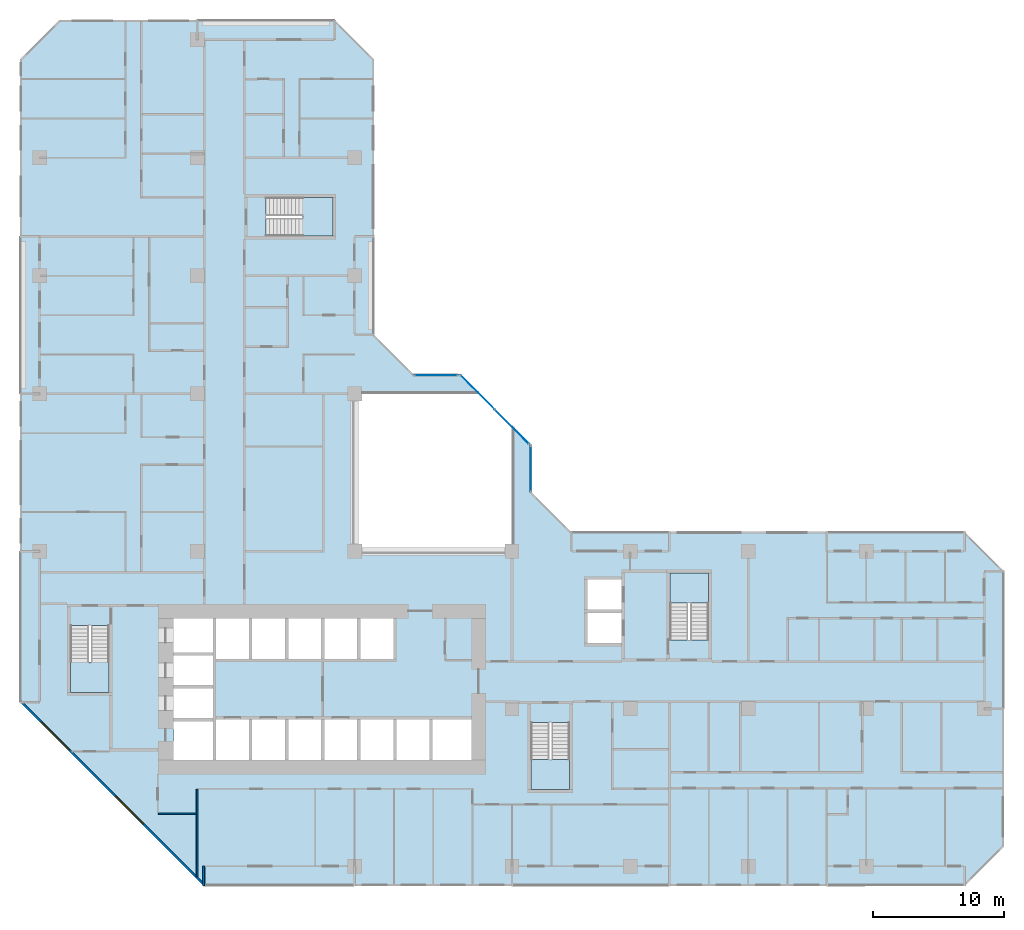
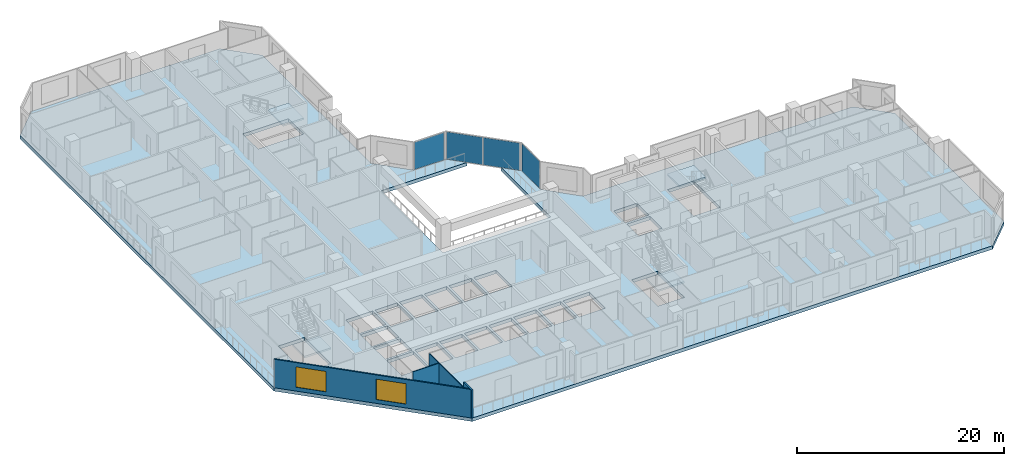
# One storey, part 3 of 16: 5 slabs, 4 plates, 4 walls, 2 windows, 2 openings, 7 elements without a shape of their own.
"""IFC4 building model written with IfcOpenShell, lengths in metres."""

from ifc_helpers import new_model, si_unit, direction, frame, frame_2d, origin, origin_2d, place, context, subcontext, project, spatial, polyline, rectangle, outline, extrude, material, layer, layer_set, type_object, element, fill, aggregate, save


model = new_model("IFC4")

# Units and contexts
model_context = context("Model", 3, precision=1e-05, world=origin(), true_north=direction((0.0, 1.0)))
body_context = subcontext(model_context, "Body", "Model", "MODEL_VIEW")
ifc_project = project(units=[si_unit("LENGTHUNIT", "METRE"), si_unit("AREAUNIT", "SQUARE_METRE"), si_unit("VOLUMEUNIT", "CUBIC_METRE"), si_unit("PLANEANGLEUNIT", "RADIAN"), si_unit("MASSUNIT", "GRAM", prefix="KILO")], contexts=[model_context])

# Site, building, storey
site_placement = place(None, origin())
site = spatial("IfcSite", under=ifc_project, at=site_placement, CompositionType="ELEMENT")
building_placement = place(site_placement, origin())
building = spatial("IfcBuilding", under=site, at=building_placement, Name="Chenar Terraces", CompositionType="ELEMENT")
storey_placement = place(building_placement, frame((0.0, 0.0, 75.14990234375)))
storey = spatial("IfcBuildingStorey", under=building, at=storey_placement, Name="L16", CompositionType="ELEMENT", Elevation=75.14990234375)

# Curtain wall, plate
ifc_material_1 = material(Name="Aluminium framed glazing", Category="aluminium")
ifc_layer_1 = layer(ifc_material_1, 0.14990234375)
ifc_layer_set_1 = layer_set([ifc_layer_1], Name="Aluminium framed glazing")
curtain_wall_type = type_object("IfcCurtainWallType", Name="Atrium curtain wall", PredefinedType="NOTDEFINED", material=ifc_layer_set_1)
placement_1 = place(storey_placement, origin())
curtain_wall_1 = element("IfcCurtainWall", 1, at=placement_1, inside=storey, type_object=curtain_wall_type, Name="Atrium curtain wall", PredefinedType="NOTDEFINED")
ifc_material_2 = material(Name="Low emissivity laminated glass, solar control coating", Category="glass")
ifc_layer_2 = layer(ifc_material_2, 0.028076171875)
ifc_layer_set_2 = layer_set([ifc_layer_2], Name="Low emissivity laminated glass, solar control coating")
plate_type = type_object("IfcPlateType", Name="Atrium glazing panel 28", PredefinedType="CURTAIN_PANEL", material=ifc_layer_set_2)
plate_1_placement = place(storey_placement, frame((37.425048828125, 30.300048828125, 0.06005859375), z_axis=(0.0, 0.0, 1.0), x_axis=(0.0, 1.0, 0.0)))
plate_1 = element("IfcPlate", 2, at=plate_1_placement, type_object=plate_type, Name="CW1-1 panel 1.1", PredefinedType="CURTAIN_PANEL", context=body_context, shape_type="SweptSolid", body=[
    extrude(rectangle(XDim=3.47998046875, YDim=0.028076171875, at=origin_2d()), origin(), (0.0, 0.0, 1.0), 3.22998046875),
])
aggregate(curtain_wall_1, [plate_1])

# Curtain wall, plates
curtain_wall_2 = element("IfcCurtainWall", 3, at=placement_1, inside=storey, type_object=curtain_wall_type, Name="Atrium curtain wall", PredefinedType="NOTDEFINED")
plate_2_placement = place(storey_placement, frame((35.980224609375, 33.513671875, 0.06005859375), z_axis=(0.0, 0.0, 1.0), x_axis=(-0.707106781187, 0.707106781187, 0.0)))
plate_2 = element("IfcPlate", 4, at=plate_2_placement, type_object=plate_type, Name="CW1-2 panel 1.1", PredefinedType="CURTAIN_PANEL", context=body_context, shape_type="SweptSolid", body=[
    extrude(rectangle(XDim=3.62841796875, YDim=0.028076171875, at=origin_2d()), origin(), (0.0, 0.0, 1.0), 3.22998046875),
])
plate_3_placement = place(storey_placement, frame((33.3720703125, 36.121826171875, 0.06005859375), z_axis=(0.0, 0.0, 1.0), x_axis=(-0.707106781187, 0.707106781187, 0.0)))
plate_3 = element("IfcPlate", 5, at=plate_3_placement, type_object=plate_type, Name="CW1-2 panel 2.1", PredefinedType="CURTAIN_PANEL", context=body_context, shape_type="SweptSolid", body=[
    extrude(rectangle(XDim=3.62841796875, YDim=0.028076171875, at=origin_2d()), origin(), (0.0, 0.0, 1.0), 3.22998046875),
])
aggregate(curtain_wall_2, [plate_2, plate_3])

# Curtain wall, plate
curtain_wall_3 = element("IfcCurtainWall", 6, at=placement_1, inside=storey, type_object=curtain_wall_type, Name="Atrium curtain wall", PredefinedType="NOTDEFINED")
plate_4_placement = place(storey_placement, frame((30.199951171875, 37.425048828125, 0.06005859375), z_axis=(0.0, 0.0, 1.0), x_axis=(-1.0, 0.0, 0.0)))
plate_4 = element("IfcPlate", 7, at=plate_4_placement, type_object=plate_type, Name="CW1-3 panel 1.1", PredefinedType="CURTAIN_PANEL", context=body_context, shape_type="SweptSolid", body=[
    extrude(rectangle(XDim=3.280029296875, YDim=0.028076171875, at=origin_2d()), origin(), (0.0, 0.0, 1.0), 3.22998046875),
])
aggregate(curtain_wall_3, [plate_4])

# Stair, slab
ifc_material_3 = material(Name="Reinforced concrete C40/50", Category="concrete")
stair_type = type_object("IfcStairType", Name="Core stair 1400 half-turn", PredefinedType="HALF_TURN_STAIR", material=ifc_material_3)
stair_1 = element("IfcStair", 8, at=placement_1, inside=storey, type_object=stair_type, Name="L16 Stair 1", PredefinedType="HALF_TURN_STAIR")
ifc_material_4 = material(Name="Reinforced concrete C40/50", Category="concrete")
ifc_layer_3 = layer(ifc_material_4, 0.199951171875)
ifc_layer_set_3 = layer_set([ifc_layer_3], Name="Reinforced concrete C40/50")
slab_type_1 = type_object("IfcSlabType", Name="Core stair landing 200", PredefinedType="LANDING", material=ifc_layer_set_3)
placement_2 = place(storey_placement, frame((0.0, 0.0, 1.675048828125)))
slab_1 = element("IfcSlab", 9, at=placement_2, type_object=slab_type_1, Name="ST1 landing 1", PredefinedType="LANDING", context=body_context, shape_type="SweptSolid", body=[
    extrude(outline(polyline([(2.35009765625, 15.550048828125), (2.35009765625, 13.25), (5.300048828125, 13.25), (5.300048828125, 15.550048828125), (2.35009765625, 15.550048828125)])), origin(), (0.0, 0.0, 1.0), 0.199951171875),
])
aggregate(stair_1, [slab_1])

stair_2 = element("IfcStair", 10, at=placement_1, inside=storey, type_object=stair_type, Name="L16 Stair 2", PredefinedType="HALF_TURN_STAIR")
slab_2 = element("IfcSlab", 11, at=placement_2, type_object=slab_type_1, Name="ST2 landing 1", PredefinedType="LANDING", context=body_context, shape_type="SweptSolid", body=[
    extrude(outline(polyline([(37.449951171875, 8.14990234375), (37.449951171875, 5.85009765625), (40.39990234375, 5.85009765625), (40.39990234375, 8.14990234375), (37.449951171875, 8.14990234375)])), origin(), (0.0, 0.0, 1.0), 0.199951171875),
])
aggregate(stair_2, [slab_2])

stair_3 = element("IfcStair", 12, at=placement_1, inside=storey, type_object=stair_type, Name="L16 Stair 3", PredefinedType="HALF_TURN_STAIR")
slab_3 = element("IfcSlab", 13, at=placement_2, type_object=slab_type_1, Name="ST3 landing 1", PredefinedType="LANDING", context=body_context, shape_type="SweptSolid", body=[
    extrude(outline(polyline([(50.97509765625, 20.050048828125), (50.97509765625, 22.35009765625), (48.02490234375, 22.35009765625), (48.02490234375, 20.050048828125), (50.97509765625, 20.050048828125)])), origin(), (0.0, 0.0, 1.0), 0.199951171875),
])
aggregate(stair_3, [slab_3])

stair_4 = element("IfcStair", 14, at=placement_1, inside=storey, type_object=stair_type, Name="L16 Stair 4", PredefinedType="HALF_TURN_STAIR")
slab_4 = element("IfcSlab", 15, at=placement_2, type_object=slab_type_1, Name="ST4 landing 1", PredefinedType="LANDING", context=body_context, shape_type="SweptSolid", body=[
    extrude(outline(polyline([(20.050048828125, 48.02490234375), (22.35009765625, 48.02490234375), (22.35009765625, 50.97509765625), (20.050048828125, 50.97509765625), (20.050048828125, 48.02490234375)])), origin(), (0.0, 0.0, 1.0), 0.199951171875),
])
aggregate(stair_4, [slab_4])

# Slab
ifc_material_5 = material(Name="Concrete C40/50", Category="concrete")
ifc_layer_4 = layer(ifc_material_5, 0.39990234375)
ifc_layer_set_4 = layer_set([ifc_layer_4], Name="Concrete C40/50")
slab_type_2 = type_object("IfcSlabType", Name="Floor slab 400 Concrete C40/50", PredefinedType="FLOOR", material=ifc_layer_set_4)
slab_5_placement = place(storey_placement, frame((0.0, 0.0, -0.39990234375)))
element("IfcSlab", 16, at=slab_5_placement, inside=storey, type_object=slab_type_2, Name="Floor slab L16", PredefinedType="FLOOR", context=body_context, shape_type="SweptSolid", body=[
    extrude(outline(polyline([(73.5, 22.5), (73.5, 1.5), (70.5, -1.5), (12.5, -1.5), (-1.5, 12.5), (-1.5, 61.5), (1.5, 64.5), (22.5, 64.5), (25.5, 61.5), (25.5, 40.5), (28.5, 37.5), (32.10009765625, 37.5), (33.60009765625, 36.0), (24.0, 36.0), (24.0, 24.0), (36.0, 24.0), (36.0, 33.60009765625), (37.5, 32.10009765625), (37.5, 28.5), (40.5, 25.5), (70.5, 25.5), (73.5, 22.5)]), holes=[polyline([(13.199951171875, 11.050048828125), (10.199951171875, 11.050048828125), (10.199951171875, 8.10009765625), (13.199951171875, 8.10009765625), (13.199951171875, 11.050048828125)]), polyline([(15.949951171875, 11.199951171875), (13.449951171875, 11.199951171875), (13.449951171875, 8.10009765625), (15.949951171875, 8.10009765625), (15.949951171875, 11.199951171875)]), polyline([(18.699951171875, 11.199951171875), (16.199951171875, 11.199951171875), (16.199951171875, 8.10009765625), (18.699951171875, 8.10009765625), (18.699951171875, 11.199951171875)]), polyline([(21.449951171875, 8.10009765625), (21.449951171875, 11.199951171875), (18.949951171875, 11.199951171875), (18.949951171875, 8.10009765625), (21.449951171875, 8.10009765625)]), polyline([(13.199951171875, 11.300048828125), (13.199951171875, 13.550048828125), (10.199951171875, 13.550048828125), (10.199951171875, 11.300048828125), (13.199951171875, 11.300048828125)]), polyline([(13.199951171875, 16.050048828125), (10.199951171875, 16.050048828125), (10.199951171875, 13.800048828125), (13.199951171875, 13.800048828125), (13.199951171875, 16.050048828125)]), polyline([(2.35009765625, 18.35009765625), (2.35009765625, 13.25), (5.300048828125, 13.25), (5.300048828125, 18.35009765625), (2.35009765625, 18.35009765625)]), polyline([(15.949951171875, 15.800048828125), (15.949951171875, 18.89990234375), (13.449951171875, 18.89990234375), (13.449951171875, 15.800048828125), (15.949951171875, 15.800048828125)]), polyline([(18.699951171875, 18.89990234375), (16.199951171875, 18.89990234375), (16.199951171875, 15.800048828125), (18.699951171875, 15.800048828125), (18.699951171875, 18.89990234375)]), polyline([(21.449951171875, 15.800048828125), (21.449951171875, 18.89990234375), (18.949951171875, 18.89990234375), (18.949951171875, 15.800048828125), (21.449951171875, 15.800048828125)]), polyline([(13.199951171875, 16.300048828125), (13.199951171875, 18.89990234375), (10.199951171875, 18.89990234375), (10.199951171875, 16.300048828125), (13.199951171875, 16.300048828125)]), polyline([(22.35009765625, 48.02490234375), (22.35009765625, 50.97509765625), (17.25, 50.97509765625), (17.25, 48.02490234375), (22.35009765625, 48.02490234375)]), polyline([(37.449951171875, 10.949951171875), (37.449951171875, 5.85009765625), (40.39990234375, 5.85009765625), (40.39990234375, 10.949951171875), (37.449951171875, 10.949951171875)]), polyline([(24.199951171875, 8.10009765625), (24.199951171875, 11.199951171875), (21.699951171875, 11.199951171875), (21.699951171875, 8.10009765625), (24.199951171875, 8.10009765625)]), polyline([(26.949951171875, 11.199951171875), (24.449951171875, 11.199951171875), (24.449951171875, 8.10009765625), (26.949951171875, 8.10009765625), (26.949951171875, 11.199951171875)]), polyline([(29.699951171875, 8.10009765625), (29.699951171875, 11.199951171875), (27.199951171875, 11.199951171875), (27.199951171875, 8.10009765625), (29.699951171875, 8.10009765625)]), polyline([(32.89990234375, 8.10009765625), (32.89990234375, 11.199951171875), (29.949951171875, 11.199951171875), (29.949951171875, 8.10009765625), (32.89990234375, 8.10009765625)]), polyline([(24.199951171875, 18.89990234375), (21.699951171875, 18.89990234375), (21.699951171875, 15.800048828125), (24.199951171875, 15.800048828125), (24.199951171875, 18.89990234375)]), polyline([(26.949951171875, 15.800048828125), (26.949951171875, 18.89990234375), (24.449951171875, 18.89990234375), (24.449951171875, 15.800048828125), (26.949951171875, 15.800048828125)]), polyline([(44.35009765625, 17.0), (44.35009765625, 19.300048828125), (41.75, 19.300048828125), (41.75, 17.0), (44.35009765625, 17.0)]), polyline([(50.97509765625, 22.35009765625), (48.02490234375, 22.35009765625), (48.02490234375, 17.25), (50.97509765625, 17.25), (50.97509765625, 22.35009765625)]), polyline([(44.35009765625, 19.550048828125), (44.35009765625, 21.85009765625), (41.75, 21.85009765625), (41.75, 19.550048828125), (44.35009765625, 19.550048828125)])]), origin(), (0.0, 0.0, 1.0), 0.39990234375),
])

# Walls
ifc_material_6 = material(Name="Gypsum board on steel studs", Category="steel")
ifc_layer_5 = layer(ifc_material_6, 0.10009765625)
ifc_layer_set_5 = layer_set([ifc_layer_5], Name="Gypsum board on steel studs")
wall_type_1 = type_object("IfcWallType", Name="Gypsum partition 100", PredefinedType="PARTITIONING", material=ifc_layer_set_5)
wall_1_placement = place(storey_placement, frame((9.050048828125, 4.0, 0.0), z_axis=(0.0, 0.0, 1.0), x_axis=(1.0, 0.0, 0.0)))
element("IfcWall", 17, at=wall_1_placement, inside=storey, type_object=wall_type_1, Name="Partition L16-032", PredefinedType="PARTITIONING", context=body_context, shape_type="SweptSolid", body=[
    extrude(rectangle(XDim=2.89990234375, YDim=0.10009765625, at=frame_2d((1.449951171875, 0.0))), origin(), (0.0, 0.0, 1.0), 3.35009765625),
])
wall_2_placement = place(storey_placement, frame((12.0, -0.787841796875, 0.0), z_axis=(0.0, 0.0, 1.0), x_axis=(0.0, 1.0, 0.0)))
element("IfcWall", 18, at=wall_2_placement, inside=storey, type_object=wall_type_1, Name="Partition L16-034", PredefinedType="PARTITIONING", context=body_context, shape_type="SweptSolid", body=[
    extrude(rectangle(XDim=6.637939453125, YDim=0.10009765625, at=frame_2d((3.31884765625, 0.0))), origin(), (0.0, 0.0, 1.0), 3.35009765625),
])
ifc_material_7 = material(Name="Terracotta cladding on insulated backing", Category="masonry")
ifc_layer_6 = layer(ifc_material_7, 0.14990234375)
ifc_layer_set_6 = layer_set([ifc_layer_6], Name="Terracotta cladding on insulated backing")
wall_type_2 = type_object("IfcWallType", Name="Loggia return wall 150", PredefinedType="SOLIDWALL", material=ifc_layer_set_6)
wall_3_placement = place(storey_placement, frame((12.5, -1.5, 0.0), z_axis=(0.0, 0.0, 1.0), x_axis=(0.0, 1.0, 0.0)))
element("IfcWall", 19, at=wall_3_placement, inside=storey, type_object=wall_type_2, Name="Loggia return wall", PredefinedType="SOLIDWALL", context=body_context, shape_type="SweptSolid", body=[
    extrude(rectangle(XDim=1.5, YDim=0.14990234375, at=frame_2d((0.75, 0.0))), origin(), (0.0, 0.0, 1.0), 3.35009765625),
])

# Wall, openings, windows
ifc_material_8 = material(Name="Terracotta cladding on insulated backing", Category="masonry")
ifc_layer_7 = layer(ifc_material_8, 0.14990234375)
ifc_layer_set_7 = layer_set([ifc_layer_7], Name="Terracotta cladding on insulated backing")
wall_type_3 = type_object("IfcWallType", Name="Terracotta rainscreen wall 150", PredefinedType="SOLIDWALL", material=ifc_layer_set_7)
wall_4_placement = place(storey_placement, frame((-1.447021484375, 12.552978515625, 0.0), z_axis=(0.0, 0.0, 1.0), x_axis=(0.707106781187, -0.707106781187, 0.0)))
wall_4 = element("IfcWall", 20, at=wall_4_placement, inside=storey, type_object=wall_type_3, Name="Terracotta rainscreen wall", PredefinedType="SOLIDWALL", context=body_context, shape_type="SweptSolid", body=[
    extrude(rectangle(XDim=19.799072265625, YDim=0.14990234375, at=frame_2d((9.8994140625, 0.0))), origin(), (0.0, 0.0, 1.0), 3.35009765625),
])
opening_1_placement = place(wall_4_placement, frame((2.21240234375, 0.0, 0.449951171875)))
opening_1 = element("IfcOpeningElement", 21, at=opening_1_placement, cuts=wall_4, Name="Opening W300x240", PredefinedType="OPENING", context=body_context, shape_type="SweptSolid", body=[
    extrude(rectangle(XDim=3.0, YDim=2.39990234375, at=frame_2d((1.5, 1.199951171875))), frame((0.0, 0.0849609375, 0.0), z_axis=(0.0, -1.0, 0.0), x_axis=(1.0, 0.0, 0.0)), (0.0, 0.0, 1.0), 0.169921875),
])
opening_2_placement = place(wall_4_placement, frame((10.215576171875, 0.0, 0.449951171875)))
opening_2 = element("IfcOpeningElement", 22, at=opening_2_placement, cuts=wall_4, Name="Opening W300x240", PredefinedType="OPENING", context=body_context, shape_type="SweptSolid", body=[
    extrude(rectangle(XDim=3.0, YDim=2.39990234375, at=frame_2d((1.5, 1.199951171875))), frame((0.0, 0.0849609375, 0.0), z_axis=(0.0, -1.0, 0.0), x_axis=(1.0, 0.0, 0.0)), (0.0, 0.0, 1.0), 0.169921875),
])
ifc_material_9 = material(Name="Low emissivity double glazing, aluminium frame", Category="aluminium")
window_type = type_object("IfcWindowType", Name="Fixed light 3000 x 2400", PartitioningType="SINGLE_PANEL", PredefinedType="WINDOW", material=ifc_material_9)
window_1_placement = place(opening_1_placement, origin())
window_1 = element("IfcWindow", 23, at=window_1_placement, inside=storey, type_object=window_type, Name="Window", OverallHeight=2.39990234375, OverallWidth=3.0, PartitioningType="SINGLE_PANEL", PredefinedType="WINDOW", context=body_context, shape_type="SweptSolid", body=[
    extrude(rectangle(XDim=3.0, YDim=2.39990234375, at=frame_2d((1.5, 1.199951171875))), frame((0.0, 0.030029296875, 0.0), z_axis=(0.0, -1.0, 0.0), x_axis=(1.0, 0.0, 0.0)), (0.0, 0.0, 1.0), 0.06005859375),
])
fill(opening_1, window_1)
window_2_placement = place(opening_2_placement, origin())
window_2 = element("IfcWindow", 24, at=window_2_placement, inside=storey, type_object=window_type, Name="Window", OverallHeight=2.39990234375, OverallWidth=3.0, PartitioningType="SINGLE_PANEL", PredefinedType="WINDOW", context=body_context, shape_type="SweptSolid", body=[
    extrude(rectangle(XDim=3.0, YDim=2.39990234375, at=frame_2d((1.5, 1.199951171875))), frame((0.0, 0.030029296875, 0.0), z_axis=(0.0, -1.0, 0.0), x_axis=(1.0, 0.0, 0.0)), (0.0, 0.0, 1.0), 0.06005859375),
])
fill(opening_2, window_2)

save(model, "model.ifc")
